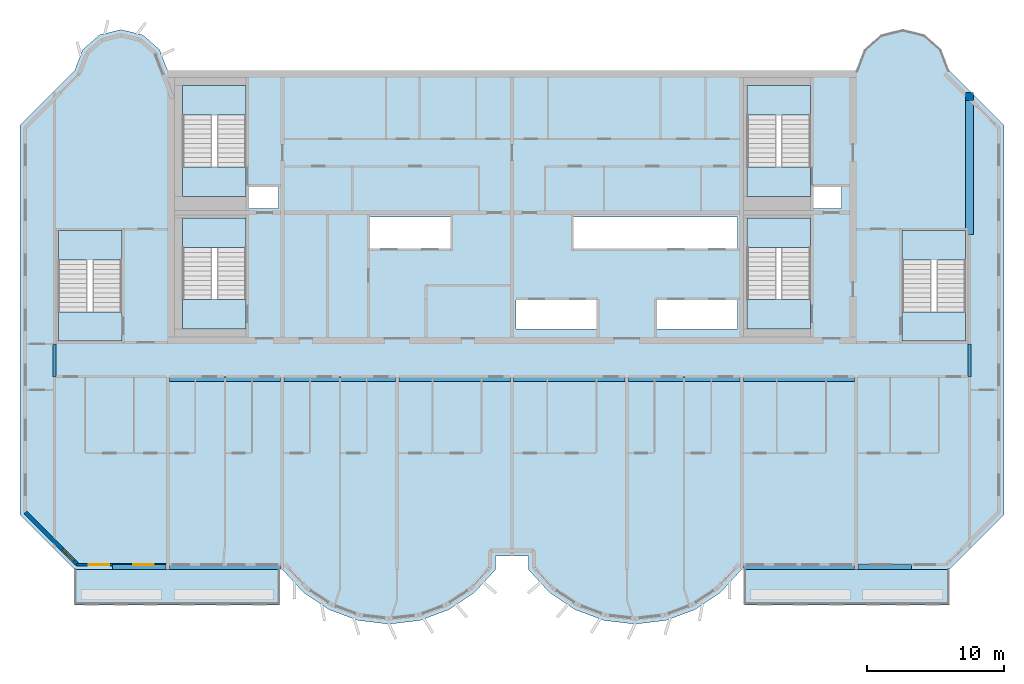
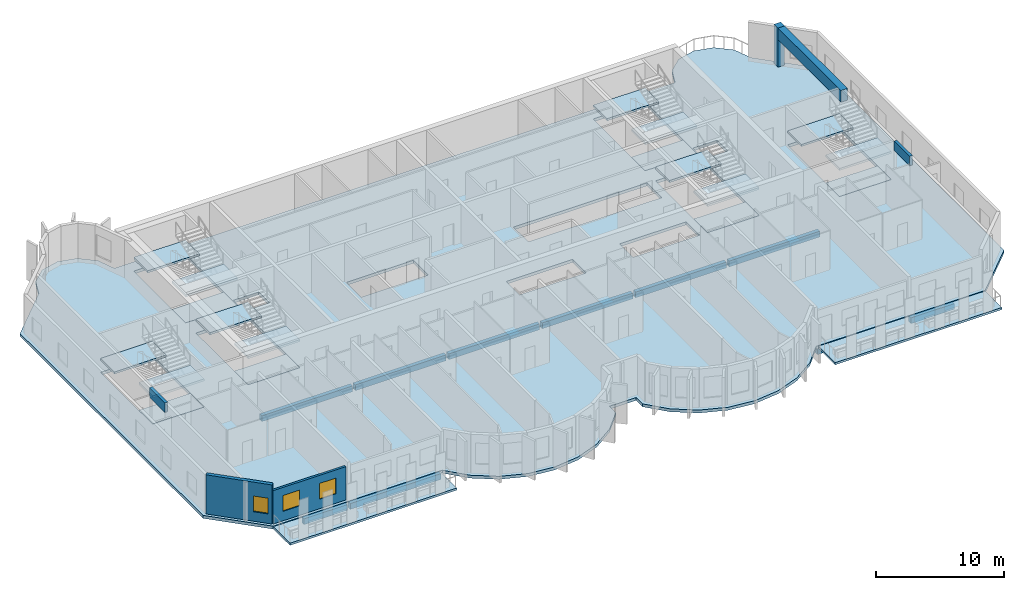
# One storey, part 1 of 12: 21 slabs, 13 beams, 3 windows, 2 walls, 1 column, 3 openings, 6 elements without a shape of their own.
"""IFC4 building model written with IfcOpenShell, lengths in metres."""

import ifcopenshell
import ifcopenshell.guid

model = None  # the IFC model being written
_history = None  # IfcOwnerHistory: only IFC2X3 demands one
_inside = {}  # id of a spatial element -> (the spatial element, [elements in it])
_under = {}  # id of a project, library or spatial element -> (it, [spatial elements below it])
_declared = {}  # id of a project -> (the project, [libraries it declares])
_typed = {}  # id of a type object -> (the type object, [elements of that type])
_made_of = {}  # id of a material, layer set ... -> (it, [elements and type objects made of it])


def new_model(schema):
    """Start an empty IFC model of exactly this schema.

    Asked for "IFC4X3", IfcOpenShell would pick the latest addendum, in which some entities
    have other attributes; the version numbers below select the first issue.
    IFC2X3 requires an IfcOwnerHistory on every rooted entity: one is made here for all.
    """
    global model, _history
    if schema == "IFC4X3":
        model = ifcopenshell.file(schema_version=(4, 3, 0, 0))
    else:
        model = ifcopenshell.file(schema=schema)
    _inside.clear()
    _under.clear()
    _declared.clear()
    _typed.clear()
    _made_of.clear()
    _history = None
    if model.schema == "IFC2X3":
        org = make("IfcOrganization", Name="unknown")
        user = make(
            "IfcPersonAndOrganization",
            ThePerson=make("IfcPerson", FamilyName="unknown"),
            TheOrganization=org,
        )
        app = make(
            "IfcApplication",
            ApplicationDeveloper=org,
            Version="unknown",
            ApplicationFullName="unknown",
            ApplicationIdentifier="unknown",
        )
        _history = make(
            "IfcOwnerHistory",
            OwningUser=user,
            OwningApplication=app,
            ChangeAction="ADDED",
            CreationDate=0,
        )
    return model


def make(cls, **values):
    """One entity of the class cls with the attributes given. An attribute that is None is left unset."""
    return model.create_entity(
        cls, **{name: value for name, value in values.items() if value is not None}
    )


def rooted(cls, **values):
    """An entity with a GlobalId (a new one), such as an element, a storey or a relation."""
    return make(cls, GlobalId=ifcopenshell.guid.new(), OwnerHistory=_history, **values)


def si_unit(unit_type, name, prefix=None):
    """IfcSIUnit, for example si_unit("LENGTHUNIT", "METRE", prefix="MILLI")."""
    return make("IfcSIUnit", UnitType=unit_type, Prefix=prefix, Name=name)


def assignment(units):
    """IfcUnitAssignment: the units of a project."""
    return None if units is None else make("IfcUnitAssignment", Units=units)


def point(xyz):
    """IfcCartesianPoint."""
    return None if xyz is None else make("IfcCartesianPoint", Coordinates=xyz)


def direction(xyz):
    """IfcDirection."""
    return None if xyz is None else make("IfcDirection", DirectionRatios=xyz)


def frame(location, z_axis=None, x_axis=None):
    """IfcAxis2Placement3D, a coordinate frame: its origin and axes. An axis left out is left unset."""
    return make(
        "IfcAxis2Placement3D",
        Location=point(location),
        Axis=direction(z_axis),
        RefDirection=direction(x_axis),
    )


def frame_2d(location, x_axis=None):
    """IfcAxis2Placement2D, a coordinate frame in the plane: its origin and x axis."""
    return make(
        "IfcAxis2Placement2D", Location=point(location), RefDirection=direction(x_axis)
    )


def origin():
    """The frame at (0, 0, 0) with its axes left unset."""
    return frame((0.0, 0.0, 0.0))


def origin_2d():
    """The frame at (0, 0) in the plane with its x axis left unset."""
    return frame_2d((0.0, 0.0))


def place(relative_to, where):
    """IfcLocalPlacement: puts the frame where relative to a parent placement (None: the world)."""
    return make(
        "IfcLocalPlacement", PlacementRelTo=relative_to, RelativePlacement=where
    )


def context(
    kind, dimensions, precision=None, world=None, true_north=None, identifier=None
):
    """IfcGeometricRepresentationContext, for example the 3D "Model" context."""
    return make(
        "IfcGeometricRepresentationContext",
        ContextIdentifier=identifier,
        ContextType=kind,
        CoordinateSpaceDimension=dimensions,
        Precision=precision,
        WorldCoordinateSystem=world,
        TrueNorth=true_north,
    )


def subcontext(parent, identifier, kind, view, scale=None):
    """IfcGeometricRepresentationSubContext, for example "Body" below "Model"."""
    return make(
        "IfcGeometricRepresentationSubContext",
        ContextIdentifier=identifier,
        ContextType=kind,
        ParentContext=parent,
        TargetScale=scale,
        TargetView=view,
    )


def project(units=None, contexts=None):
    """IfcProject with its units and contexts."""
    return rooted(
        "IfcProject",
        Name="project",
        RepresentationContexts=contexts,
        UnitsInContext=assignment(units),
    )


def spatial(cls, under=None, at=None, **own):
    """A site, building, storey or space (cls), placed at a placement, below another one or the project."""
    s = rooted(cls, ObjectPlacement=at, **own)
    if under is not None:
        _under.setdefault(under.id(), (under, []))[1].append(s)
    return s


def polyline(points):
    """IfcPolyline through the points."""
    return make("IfcPolyline", Points=[point(p) for p in points])


def profile(cls, at=None, kind="AREA", **sizes):
    """A parametric profile (cls). Its sizes go by their IFC names, for example OverallWidth=200.0."""
    return make(cls, ProfileType=kind, Position=at, **sizes)


def rectangle(**sizes):
    """IfcRectangleProfileDef."""
    return profile("IfcRectangleProfileDef", **sizes)


def outline(outer, holes=None, kind="AREA"):
    """IfcArbitraryClosedProfileDef: a profile drawn as a closed curve; with holes, ...WithVoids."""
    if holes is None:
        return make("IfcArbitraryClosedProfileDef", ProfileType=kind, OuterCurve=outer)
    return make(
        "IfcArbitraryProfileDefWithVoids",
        ProfileType=kind,
        OuterCurve=outer,
        InnerCurves=holes,
    )


def extrude(swept, where, along, depth):
    """IfcExtrudedAreaSolid: the profile swept, set in the frame where, extruded along a direction by depth."""
    return make(
        "IfcExtrudedAreaSolid",
        SweptArea=swept,
        Position=where,
        ExtrudedDirection=direction(along),
        Depth=depth,
    )


def shape(context_of_items, identifier, shape_type, items):
    """IfcShapeRepresentation: the items that make up one representation, for example the "Body"."""
    return make(
        "IfcShapeRepresentation",
        ContextOfItems=context_of_items,
        RepresentationIdentifier=identifier,
        RepresentationType=shape_type,
        Items=items,
    )


def source(mapping_origin, context_of_items, identifier, shape_type, items):
    """IfcRepresentationMap: a shape defined once, which mapped items show again and again."""
    return make(
        "IfcRepresentationMap",
        MappingOrigin=mapping_origin,
        MappedRepresentation=shape(context_of_items, identifier, shape_type, items),
    )


def transform(
    local_origin,
    x_axis=None,
    y_axis=None,
    z_axis=None,
    scale=None,
    scale2=None,
    scale3=None,
    uniform=True,
):
    """IfcCartesianTransformationOperator3D, or its non-uniform kind. x_axis, y_axis, z_axis: its Axis1, 2, 3."""
    if uniform:
        return make(
            "IfcCartesianTransformationOperator3D",
            Axis1=direction(x_axis),
            Axis2=direction(y_axis),
            LocalOrigin=point(local_origin),
            Scale=scale,
            Axis3=direction(z_axis),
        )
    return make(
        "IfcCartesianTransformationOperator3DnonUniform",
        Axis1=direction(x_axis),
        Axis2=direction(y_axis),
        LocalOrigin=point(local_origin),
        Scale=scale,
        Axis3=direction(z_axis),
        Scale2=scale2,
        Scale3=scale3,
    )


def mapped(mapping_source, mapping_target):
    """IfcMappedItem: shows the shape of a source again, moved by a transform."""
    return make(
        "IfcMappedItem", MappingSource=mapping_source, MappingTarget=mapping_target
    )


def material(Name=None, Category=None):
    """IfcMaterial."""
    return make("IfcMaterial", Name=Name, Category=Category)


def layer(
    of_material, thickness, ventilated=None, Name=None, Category=None, Priority=None
):
    """IfcMaterialLayer: one layer of a wall or slab, of a material (None: an air gap)."""
    return make(
        "IfcMaterialLayer",
        Material=of_material,
        LayerThickness=thickness,
        IsVentilated=ventilated,
        Name=Name,
        Category=Category,
        Priority=Priority,
    )


def layer_set(layers, Name=None):
    """IfcMaterialLayerSet."""
    return make("IfcMaterialLayerSet", MaterialLayers=layers, LayerSetName=Name)


def material_profile(
    of_material, cross_section, Name=None, Category=None, Priority=None
):
    """IfcMaterialProfile: a cross section and its material."""
    return make(
        "IfcMaterialProfile",
        Name=Name,
        Material=of_material,
        Profile=cross_section,
        Priority=Priority,
        Category=Category,
    )


def profile_set(profiles, Name=None, composite=None):
    """IfcMaterialProfileSet."""
    return make(
        "IfcMaterialProfileSet",
        Name=Name,
        MaterialProfiles=profiles,
        CompositeProfile=composite,
    )


def made_of(thing, what):
    """Note that an element or type object is made of a material, layer set ...; save() writes the relation."""
    if what is not None:
        _made_of.setdefault(what.id(), (what, []))[1].append(thing)
    return thing


def type_object(cls, material=None, **own):
    """A type object (cls), such as IfcWallType, which elements share."""
    return made_of(rooted(cls, **own), material)


def element(
    cls,
    number,
    at=None,
    inside=None,
    cuts=None,
    type_object=None,
    material=None,
    context=None,
    identifier="Body",
    shape_type=None,
    held_by="IfcProductDefinitionShape",
    body=None,
    shapes=None,
    **own,
):
    """One element of the class cls, such as IfcWall. Its Tag is "e" and its number.

    at: its placement. inside: the storey or other place that contains it. cuts: it is an
    opening in that element (IfcRelVoidsElement). A single representation is given by context,
    identifier, shape_type and body (its items); several are given by shapes. held_by: the class
    of the entity that holds the representations. save() writes the other relations.
    """
    e = rooted(cls, Tag="e%d" % number, ObjectPlacement=at, **own)
    if body is not None:
        shapes = [shape(context, identifier, shape_type, body)]
    if shapes is not None:
        e.Representation = make(held_by, Representations=shapes)
    if inside is not None:
        _inside.setdefault(inside.id(), (inside, []))[1].append(e)
    if cuts is not None:
        rooted(
            "IfcRelVoidsElement", RelatingBuildingElement=cuts, RelatedOpeningElement=e
        )
    if type_object is not None:
        _typed.setdefault(type_object.id(), (type_object, []))[1].append(e)
    return made_of(e, material)


def fill(opening, filler):
    """IfcRelFillsElement: the door or window that sits in an opening."""
    return rooted(
        "IfcRelFillsElement",
        RelatingOpeningElement=opening,
        RelatedBuildingElement=filler,
    )


def aggregate(whole, parts):
    """IfcRelAggregates: a whole, such as a stair, and the parts it consists of."""
    return rooted("IfcRelAggregates", RelatingObject=whole, RelatedObjects=parts)


def save(model, path):
    """Write the relations noted so far, then the file.

    IfcRelAggregates (storeys below a building ...), IfcRelContainedInSpatialStructure (elements
    in a storey), IfcRelDefinesByType, IfcRelAssociatesMaterial and IfcRelDeclares: one each for
    every whole, place, type object, material and project.
    """
    for whole, parts in _under.values():
        aggregate(whole, parts)
    for where, things in _inside.values():
        rooted(
            "IfcRelContainedInSpatialStructure",
            RelatedElements=things,
            RelatingStructure=where,
        )
    for kind, things in _typed.values():
        rooted("IfcRelDefinesByType", RelatedObjects=things, RelatingType=kind)
    for what, things in _made_of.values():
        rooted("IfcRelAssociatesMaterial", RelatedObjects=things, RelatingMaterial=what)
    for by, libraries in _declared.values():
        rooted("IfcRelDeclares", RelatingContext=by, RelatedDefinitions=libraries)
    model.write(path)


model = new_model("IFC4")

# Units and contexts
model_context = context("Model", 3, precision=1e-05, world=origin(), true_north=direction((0.0, 1.0)))
body_context = subcontext(model_context, "Body", "Model", "MODEL_VIEW")
ifc_project = project(units=[si_unit("LENGTHUNIT", "METRE"), si_unit("AREAUNIT", "SQUARE_METRE"), si_unit("VOLUMEUNIT", "CUBIC_METRE"), si_unit("PLANEANGLEUNIT", "RADIAN"), si_unit("MASSUNIT", "GRAM", prefix="KILO")], contexts=[model_context])

# Site, building, storey
site_placement = place(None, origin())
site = spatial("IfcSite", under=ifc_project, at=site_placement, CompositionType="ELEMENT")
building_placement = place(site_placement, origin())
building = spatial("IfcBuilding", under=site, at=building_placement, Name="Vanashikhar Sky Hotel", CompositionType="ELEMENT")
storey_placement = place(building_placement, frame((0.0, 0.0, 289.699951171875)))
storey = spatial("IfcBuildingStorey", under=building, at=storey_placement, Name="L69", CompositionType="ELEMENT", Elevation=289.699951171875)

# Column
ifc_material_1 = material(Name="Concrete M50", Category="concrete")
ifc_material_profile_1 = material_profile(ifc_material_1, rectangle(XDim=0.60009765625, YDim=0.60009765625, at=origin_2d()))
ifc_profile_set_1 = profile_set([ifc_material_profile_1], Name="RC 600x600 column Concrete M50")
column_type = type_object("IfcColumnType", Name="RC 600x600 column Concrete M50", PredefinedType="COLUMN", material=ifc_profile_set_1)
shared_shape_1 = source(origin(), body_context, "Body", "SweptSolid", [
    extrude(rectangle(XDim=0.60009765625, YDim=0.60009765625, at=origin_2d()), origin(), (0.0, 0.0, 1.0), 3.719970703125),
])
column_placement = place(storey_placement, frame((83.875, 40.10009765625, 0.0), z_axis=(0.0, 0.0, 1.0), x_axis=(1.0, 0.0, 0.0)))
element("IfcColumn", 1, at=column_placement, inside=storey, type_object=column_type, Name="CL-L69-CRF", PredefinedType="COLUMN", context=body_context, shape_type="MappedRepresentation", body=[
    mapped(shared_shape_1, transform((0.0, 0.0, 0.0), scale=1.0)),
])

# Beams
ifc_material_profile_2 = material_profile(ifc_material_1, rectangle(XDim=0.60009765625, YDim=1.10009765625, at=origin_2d()))
ifc_profile_set_2 = profile_set([ifc_material_profile_2], Name="RC 600x1100 beam Concrete M50")
beam_type_1 = type_object("IfcBeamType", Name="RC 600x1100 beam Concrete M50", PredefinedType="BEAM", material=ifc_profile_set_2)
shared_shape_2 = source(origin(), body_context, "Body", "SweptSolid", [
    extrude(rectangle(XDim=0.60009765625, YDim=1.10009765625, at=origin_2d()), origin(), (0.0, 0.0, 1.0), 9.800048828125),
])
beam_placement = place(storey_placement, frame((83.875, 30.0, 3.170166015625), z_axis=(0.0, 1.0, 0.0), x_axis=(-1.0, 0.0, 0.0)))
element("IfcBeam", 2, at=beam_placement, inside=storey, type_object=beam_type_1, Name="LB-L69-XW11-O1", PredefinedType="BEAM", context=body_context, shape_type="MappedRepresentation", body=[
    mapped(shared_shape_2, transform((0.0, 0.0, 0.0), scale=1.0)),
])
ifc_material_profile_3 = material_profile(ifc_material_1, rectangle(XDim=0.25, YDim=0.89990234375, at=origin_2d()))
ifc_profile_set_3 = profile_set([ifc_material_profile_3], Name="RC 250x900 beam Concrete M50")
beam_type_2 = type_object("IfcBeamType", Name="RC 250x900 beam Concrete M50", PredefinedType="LINTEL", material=ifc_profile_set_3)
shared_shape_3 = source(origin(), body_context, "Body", "SweptSolid", [
    extrude(rectangle(XDim=0.25, YDim=0.89990234375, at=origin_2d()), origin(), (0.0, 0.0, 1.0), 2.39990234375),
])
for number, where, z_axis, x_axis, name in (
    (3, (16.925048828125, 19.60009765625, 3.27001953125), (0.0, 1.0, 0.0), (-1.0, 0.0, 0.0), "LB-L69-XW03"),
    (4, (83.875, 19.60009765625, 3.27001953125), (0.0, 1.0, 0.0), (-1.0, 0.0, 0.0), "LB-L69-XW11"),
):
    element("IfcBeam", number, at=place(storey_placement, frame(where, z_axis=z_axis, x_axis=x_axis)), inside=storey, type_object=beam_type_2, Name=name, PredefinedType="LINTEL", context=body_context, shape_type="MappedRepresentation", body=[
        mapped(shared_shape_3, transform((0.0, 0.0, 0.0), scale=1.0)),
    ])
ifc_material_profile_4 = material_profile(ifc_material_1, rectangle(XDim=0.35009765625, YDim=0.550048828125, at=origin_2d()))
ifc_profile_set_4 = profile_set([ifc_material_profile_4], Name="RC 350x550 beam Concrete M50")
beam_type_3 = type_object("IfcBeamType", Name="RC 350x550 beam Concrete M50", PredefinedType="SPANDREL", material=ifc_profile_set_4)
shared_shape_4 = source(origin(), body_context, "Body", "SweptSolid", [
    extrude(rectangle(XDim=0.35009765625, YDim=0.550048828125, at=origin_2d()), origin(), (0.0, 0.0, 1.0), 8.150146484375),
])
for number, where, z_axis, x_axis, name in (
    (5, (25.324951171875, 5.675048828125, -0.554931640625), (1.0, 0.0, 0.0), (0.0, 1.0, 0.0), "EB-L69-F01"),
    (6, (67.324951171875, 5.675048828125, -0.554931640625), (1.0, 0.0, 0.0), (0.0, 1.0, 0.0), "EB-L69-F03"),
    (7, (25.324951171875, 19.425048828125, -0.554931640625), (1.0, 0.0, 0.0), (0.0, 1.0, 0.0), "CB-L69-01"),
    (8, (50.52490234375, 19.425048828125, -0.554931640625), (1.0, 0.0, 0.0), (0.0, 1.0, 0.0), "CB-L69-04"),
    (9, (67.324951171875, 19.425048828125, -0.554931640625), (1.0, 0.0, 0.0), (0.0, 1.0, 0.0), "CB-L69-06"),
):
    element("IfcBeam", number, at=place(storey_placement, frame(where, z_axis=z_axis, x_axis=x_axis)), inside=storey, type_object=beam_type_3, Name=name, PredefinedType="SPANDREL", context=body_context, shape_type="MappedRepresentation", body=[
        mapped(shared_shape_4, transform((0.0, 0.0, 0.0), scale=1.0)),
    ])
ifc_material_profile_5 = material_profile(ifc_material_1, rectangle(XDim=0.35009765625, YDim=0.550048828125, at=origin_2d()))
ifc_profile_set_5 = profile_set([ifc_material_profile_5], Name="RC 350x550 cantilever beam Concrete M50")
beam_type_4 = type_object("IfcBeamType", Name="RC 350x550 cantilever beam Concrete M50", PredefinedType="SPANDREL", material=ifc_profile_set_5)
shared_shape_5 = source(origin(), body_context, "Body", "SweptSolid", [
    extrude(rectangle(XDim=0.35009765625, YDim=0.550048828125, at=origin_2d()), origin(), (0.0, 0.0, 1.0), 3.89990234375),
])
for number, where, z_axis, x_axis, name in (
    (10, (21.175048828125, 5.675048828125, -0.554931640625), (1.0, 0.0, 0.0), (0.0, 1.0, 0.0), "EB-L69-F02"),
    (11, (75.72509765625, 5.675048828125, -0.554931640625), (1.0, 0.0, 0.0), (0.0, 1.0, 0.0), "EB-L69-F04"),
):
    element("IfcBeam", number, at=place(storey_placement, frame(where, z_axis=z_axis, x_axis=x_axis)), inside=storey, type_object=beam_type_4, Name=name, PredefinedType="SPANDREL", context=body_context, shape_type="MappedRepresentation", body=[
        mapped(shared_shape_5, transform((0.0, 0.0, 0.0), scale=1.0)),
    ])
shared_shape_6 = source(origin(), body_context, "Body", "SweptSolid", [
    extrude(rectangle(XDim=0.35009765625, YDim=0.550048828125, at=origin_2d()), origin(), (0.0, 0.0, 1.0), 8.14990234375),
])
for number, where, z_axis, x_axis, name in (
    (12, (33.72509765625, 19.425048828125, -0.554931640625), (1.0, 0.0, 0.0), (0.0, 1.0, 0.0), "CB-L69-02"),
    (13, (42.125, 19.425048828125, -0.554931640625), (1.0, 0.0, 0.0), (0.0, 1.0, 0.0), "CB-L69-03"),
    (14, (58.925048828125, 19.425048828125, -0.554931640625), (1.0, 0.0, 0.0), (0.0, 1.0, 0.0), "CB-L69-05"),
):
    element("IfcBeam", number, at=place(storey_placement, frame(where, z_axis=z_axis, x_axis=x_axis)), inside=storey, type_object=beam_type_3, Name=name, PredefinedType="SPANDREL", context=body_context, shape_type="MappedRepresentation", body=[
        mapped(shared_shape_6, transform((0.0, 0.0, 0.0), scale=1.0)),
    ])

# Slabs
ifc_material_2 = material(Name="Concrete M40", Category="concrete")
ifc_layer_1 = layer(ifc_material_2, 0.280029296875)
ifc_layer_set_1 = layer_set([ifc_layer_1], Name="Floor slab 280 mm")
slab_type_1 = type_object("IfcSlabType", Name="Floor slab 280 mm", PredefinedType="FLOOR", material=ifc_layer_set_1)
shared_shape_7 = source(origin(), body_context, "Body", "SweptSolid", [
    extrude(outline(polyline([(49.199951171875, 5.5), (49.199951171875, 6.5), (51.60009765625, 6.5), (51.60009765625, 5.5), (53.133056640625, 3.825927734375), (55.01708984375, 2.55810546875), (57.14599609375, 1.76806640625), (59.39990234375, 1.5), (61.654052734375, 1.76806640625), (63.782958984375, 2.55810546875), (65.6669921875, 3.825927734375), (67.199951171875, 5.5), (82.39990234375, 5.5), (86.39990234375, 9.5), (86.39990234375, 38.0), (82.39990234375, 42.0), (81.81494140625, 43.527099609375), (80.587890625, 44.610107421875), (79.0, 45.0), (77.412109375, 44.610107421875), (76.18505859375, 43.527099609375), (75.60009765625, 42.0), (25.199951171875, 42.0), (24.614990234375, 43.527099609375), (23.387939453125, 44.610107421875), (21.800048828125, 45.0), (20.2119140625, 44.610107421875), (18.985107421875, 43.527099609375), (18.39990234375, 42.0), (14.39990234375, 38.0), (14.39990234375, 9.5), (18.39990234375, 5.5), (33.60009765625, 5.5), (35.133056640625, 3.825927734375), (37.01708984375, 2.55810546875), (39.14599609375, 1.76806640625), (41.39990234375, 1.5), (43.654052734375, 1.76806640625), (45.782958984375, 2.55810546875), (47.6669921875, 3.825927734375), (49.199951171875, 5.5)]), holes=[polyline([(33.300048828125, 33.60009765625), (31.050048828125, 33.60009765625), (31.050048828125, 31.89990234375), (33.300048828125, 31.89990234375), (33.300048828125, 33.60009765625)]), polyline([(39.89990234375, 31.300048828125), (39.89990234375, 29.0), (45.89990234375, 29.0), (45.89990234375, 31.300048828125), (39.89990234375, 31.300048828125)]), polyline([(50.699951171875, 25.199951171875), (50.699951171875, 23.10009765625), (56.699951171875, 23.10009765625), (56.699951171875, 25.199951171875), (50.699951171875, 25.199951171875)]), polyline([(66.89990234375, 29.0), (66.89990234375, 31.300048828125), (54.89990234375, 31.300048828125), (54.89990234375, 29.0), (66.89990234375, 29.0)]), polyline([(60.89990234375, 25.199951171875), (60.89990234375, 23.10009765625), (66.89990234375, 23.10009765625), (66.89990234375, 25.199951171875), (60.89990234375, 25.199951171875)]), polyline([(74.5, 33.60009765625), (72.35009765625, 33.60009765625), (72.35009765625, 31.89990234375), (74.5, 31.89990234375), (74.5, 33.60009765625)]), polyline([(30.949951171875, 23.10009765625), (30.949951171875, 31.199951171875), (26.300048828125, 31.199951171875), (26.300048828125, 23.10009765625), (30.949951171875, 23.10009765625)]), polyline([(72.25, 23.10009765625), (72.25, 31.199951171875), (67.60009765625, 31.199951171875), (67.60009765625, 23.10009765625), (72.25, 23.10009765625)]), polyline([(30.949951171875, 32.800048828125), (30.949951171875, 40.89990234375), (26.300048828125, 40.89990234375), (26.300048828125, 32.800048828125), (30.949951171875, 32.800048828125)]), polyline([(72.25, 32.800048828125), (72.25, 40.89990234375), (67.60009765625, 40.89990234375), (67.60009765625, 32.800048828125), (72.25, 32.800048828125)]), polyline([(83.60009765625, 22.199951171875), (83.60009765625, 30.300048828125), (78.949951171875, 30.300048828125), (78.949951171875, 22.199951171875), (83.60009765625, 22.199951171875)]), polyline([(21.85009765625, 22.199951171875), (21.85009765625, 30.300048828125), (17.199951171875, 30.300048828125), (17.199951171875, 22.199951171875), (21.85009765625, 22.199951171875)])]), origin(), (0.0, 0.0, 1.0), 0.280029296875),
])
slab_1_placement = place(storey_placement, frame((0.0, 0.0, -0.280029296875)))
element("IfcSlab", 15, at=slab_1_placement, inside=storey, type_object=slab_type_1, Name="Floor slab L69", PredefinedType="FLOOR", context=body_context, shape_type="MappedRepresentation", body=[
    mapped(shared_shape_7, transform((0.0, 0.0, 0.0), scale=1.0)),
])
ifc_layer_2 = layer(ifc_material_2, 0.199951171875)
ifc_layer_set_2 = layer_set([ifc_layer_2], Name="Balcony slab 200 mm")
slab_type_2 = type_object("IfcSlabType", Name="Balcony slab 200 mm", PredefinedType="USERDEFINED", material=ifc_layer_set_2)
shared_shape_8 = source(origin(), body_context, "Body", "SweptSolid", [
    extrude(outline(polyline([(18.39990234375, 2.89990234375), (33.39990234375, 2.89990234375), (33.39990234375, 5.5), (18.39990234375, 5.5), (18.39990234375, 2.89990234375)])), origin(), (0.0, 0.0, 1.0), 0.199951171875),
])
slab_2_placement = place(storey_placement, frame((0.0, 0.0, -0.25)))
element("IfcSlab", 16, at=slab_2_placement, inside=storey, type_object=slab_type_2, Name="Balcony slab L69 1", ObjectType="BALCONY", PredefinedType="USERDEFINED", context=body_context, shape_type="MappedRepresentation", body=[
    mapped(shared_shape_8, transform((0.0, 0.0, 0.0), scale=1.0)),
])
shared_shape_9 = source(origin(), body_context, "Body", "SweptSolid", [
    extrude(outline(polyline([(67.39990234375, 2.89990234375), (82.39990234375, 2.89990234375), (82.39990234375, 5.5), (67.39990234375, 5.5), (67.39990234375, 2.89990234375)])), origin(), (0.0, 0.0, 1.0), 0.199951171875),
])
slab_3_placement = place(storey_placement, frame((0.0, 0.0, -0.25)))
element("IfcSlab", 17, at=slab_3_placement, inside=storey, type_object=slab_type_2, Name="Balcony slab L69 2", ObjectType="BALCONY", PredefinedType="USERDEFINED", context=body_context, shape_type="MappedRepresentation", body=[
    mapped(shared_shape_9, transform((0.0, 0.0, 0.0), scale=1.0)),
])

# Stair, slabs
stair_type = type_object("IfcStairType", Name="Exit stair 2150", PredefinedType="DOUBLE_RETURN_STAIR", material=ifc_material_2)
stair_1_placement = place(storey_placement, origin())
stair_1 = element("IfcStair", 18, at=stair_1_placement, inside=storey, type_object=stair_type, Name="L69 Exit stair 1", PredefinedType="DOUBLE_RETURN_STAIR")
ifc_layer_3 = layer(ifc_material_2, 0.199951171875)
ifc_layer_set_3 = layer_set([ifc_layer_3], Name="Stair landing 200")
slab_type_3 = type_object("IfcSlabType", Name="Stair landing 200", PredefinedType="LANDING", material=ifc_layer_set_3)
shared_shape_10 = source(origin(), body_context, "Body", "SweptSolid", [
    extrude(outline(polyline([(30.949951171875, 23.10009765625), (30.949951171875, 25.25), (26.300048828125, 25.25), (26.300048828125, 23.10009765625), (30.949951171875, 23.10009765625)])), origin(), (0.0, 0.0, 1.0), 0.199951171875),
])
slab_4_placement = place(storey_placement, frame((0.0, 0.0, 2.466796875)))
slab_4 = element("IfcSlab", 19, at=slab_4_placement, type_object=slab_type_3, Name="ST-C1 landing 2", PredefinedType="LANDING", context=body_context, shape_type="MappedRepresentation", body=[
    mapped(shared_shape_10, transform((0.0, 0.0, 0.0), scale=1.0)),
])
shared_shape_11 = source(origin(), body_context, "Body", "SweptSolid", [
    extrude(outline(polyline([(30.949951171875, 29.050048828125), (30.949951171875, 31.199951171875), (26.300048828125, 31.199951171875), (26.300048828125, 29.050048828125), (30.949951171875, 29.050048828125)])), origin(), (0.0, 0.0, 1.0), 0.2001953125),
])
slab_5_placement = place(storey_placement, frame((0.0, 0.0, 1.13330078125)))
slab_5 = element("IfcSlab", 20, at=slab_5_placement, type_object=slab_type_3, Name="ST-C1 landing 1", PredefinedType="LANDING", context=body_context, shape_type="MappedRepresentation", body=[
    mapped(shared_shape_11, transform((0.0, 0.0, 0.0), scale=1.0)),
])
aggregate(stair_1, [slab_5, slab_4])

# Slab
ifc_layer_4 = layer(ifc_material_2, 0.280029296875)
ifc_layer_set_4 = layer_set([ifc_layer_4], Name="Stair floor landing 280")
slab_type_4 = type_object("IfcSlabType", Name="Stair floor landing 280", PredefinedType="LANDING", material=ifc_layer_set_4)
shared_shape_12 = source(origin(), body_context, "Body", "SweptSolid", [
    extrude(outline(polyline([(30.949951171875, 23.10009765625), (30.949951171875, 25.25), (26.300048828125, 25.25), (26.300048828125, 23.10009765625), (30.949951171875, 23.10009765625)])), origin(), (0.0, 0.0, 1.0), 0.280029296875),
])
slab_6_placement = place(storey_placement, frame((0.0, 0.0, -0.280029296875)))
element("IfcSlab", 21, at=slab_6_placement, inside=storey, type_object=slab_type_4, Name="Exit stair 1 floor landing", PredefinedType="LANDING", context=body_context, shape_type="MappedRepresentation", body=[
    mapped(shared_shape_12, transform((0.0, 0.0, 0.0), scale=1.0)),
])

# Stair, slabs
stair_2_placement = place(storey_placement, origin())
stair_2 = element("IfcStair", 22, at=stair_2_placement, inside=storey, type_object=stair_type, Name="L69 Exit stair 2", PredefinedType="DOUBLE_RETURN_STAIR")
shared_shape_13 = source(origin(), body_context, "Body", "SweptSolid", [
    extrude(outline(polyline([(72.25, 23.10009765625), (72.25, 25.25), (67.60009765625, 25.25), (67.60009765625, 23.10009765625), (72.25, 23.10009765625)])), origin(), (0.0, 0.0, 1.0), 0.199951171875),
])
slab_7_placement = place(storey_placement, frame((0.0, 0.0, 2.466796875)))
slab_7 = element("IfcSlab", 23, at=slab_7_placement, type_object=slab_type_3, Name="ST-C2 landing 2", PredefinedType="LANDING", context=body_context, shape_type="MappedRepresentation", body=[
    mapped(shared_shape_13, transform((0.0, 0.0, 0.0), scale=1.0)),
])
shared_shape_14 = source(origin(), body_context, "Body", "SweptSolid", [
    extrude(outline(polyline([(72.25, 29.050048828125), (72.25, 31.199951171875), (67.60009765625, 31.199951171875), (67.60009765625, 29.050048828125), (72.25, 29.050048828125)])), origin(), (0.0, 0.0, 1.0), 0.2001953125),
])
slab_8_placement = place(storey_placement, frame((0.0, 0.0, 1.13330078125)))
slab_8 = element("IfcSlab", 24, at=slab_8_placement, type_object=slab_type_3, Name="ST-C2 landing 1", PredefinedType="LANDING", context=body_context, shape_type="MappedRepresentation", body=[
    mapped(shared_shape_14, transform((0.0, 0.0, 0.0), scale=1.0)),
])
aggregate(stair_2, [slab_8, slab_7])

# Slab
shared_shape_15 = source(origin(), body_context, "Body", "SweptSolid", [
    extrude(outline(polyline([(72.25, 23.10009765625), (72.25, 25.25), (67.60009765625, 25.25), (67.60009765625, 23.10009765625), (72.25, 23.10009765625)])), origin(), (0.0, 0.0, 1.0), 0.280029296875),
])
slab_9_placement = place(storey_placement, frame((0.0, 0.0, -0.280029296875)))
element("IfcSlab", 25, at=slab_9_placement, inside=storey, type_object=slab_type_4, Name="Exit stair 2 floor landing", PredefinedType="LANDING", context=body_context, shape_type="MappedRepresentation", body=[
    mapped(shared_shape_15, transform((0.0, 0.0, 0.0), scale=1.0)),
])

# Stair, slabs
stair_3_placement = place(storey_placement, origin())
stair_3 = element("IfcStair", 26, at=stair_3_placement, inside=storey, type_object=stair_type, Name="L69 Exit stair 3", PredefinedType="DOUBLE_RETURN_STAIR")
shared_shape_16 = source(origin(), body_context, "Body", "SweptSolid", [
    extrude(outline(polyline([(21.85009765625, 22.199951171875), (21.85009765625, 24.35009765625), (17.199951171875, 24.35009765625), (17.199951171875, 22.199951171875), (21.85009765625, 22.199951171875)])), origin(), (0.0, 0.0, 1.0), 0.199951171875),
])
slab_10_placement = place(storey_placement, frame((0.0, 0.0, 2.466796875)))
slab_10 = element("IfcSlab", 27, at=slab_10_placement, type_object=slab_type_3, Name="ST-W landing 2", PredefinedType="LANDING", context=body_context, shape_type="MappedRepresentation", body=[
    mapped(shared_shape_16, transform((0.0, 0.0, 0.0), scale=1.0)),
])
shared_shape_17 = source(origin(), body_context, "Body", "SweptSolid", [
    extrude(outline(polyline([(21.85009765625, 28.14990234375), (21.85009765625, 30.300048828125), (17.199951171875, 30.300048828125), (17.199951171875, 28.14990234375), (21.85009765625, 28.14990234375)])), origin(), (0.0, 0.0, 1.0), 0.2001953125),
])
slab_11_placement = place(storey_placement, frame((0.0, 0.0, 1.13330078125)))
slab_11 = element("IfcSlab", 28, at=slab_11_placement, type_object=slab_type_3, Name="ST-W landing 1", PredefinedType="LANDING", context=body_context, shape_type="MappedRepresentation", body=[
    mapped(shared_shape_17, transform((0.0, 0.0, 0.0), scale=1.0)),
])
aggregate(stair_3, [slab_11, slab_10])

# Slab
shared_shape_18 = source(origin(), body_context, "Body", "SweptSolid", [
    extrude(outline(polyline([(21.85009765625, 22.199951171875), (21.85009765625, 24.35009765625), (17.199951171875, 24.35009765625), (17.199951171875, 22.199951171875), (21.85009765625, 22.199951171875)])), origin(), (0.0, 0.0, 1.0), 0.280029296875),
])
slab_12_placement = place(storey_placement, frame((0.0, 0.0, -0.280029296875)))
element("IfcSlab", 29, at=slab_12_placement, inside=storey, type_object=slab_type_4, Name="Exit stair 3 floor landing", PredefinedType="LANDING", context=body_context, shape_type="MappedRepresentation", body=[
    mapped(shared_shape_18, transform((0.0, 0.0, 0.0), scale=1.0)),
])

# Stair, slabs
stair_4_placement = place(storey_placement, origin())
stair_4 = element("IfcStair", 30, at=stair_4_placement, inside=storey, type_object=stair_type, Name="L69 Exit stair 4", PredefinedType="DOUBLE_RETURN_STAIR")
shared_shape_19 = source(origin(), body_context, "Body", "SweptSolid", [
    extrude(outline(polyline([(83.60009765625, 22.199951171875), (83.60009765625, 24.35009765625), (78.949951171875, 24.35009765625), (78.949951171875, 22.199951171875), (83.60009765625, 22.199951171875)])), origin(), (0.0, 0.0, 1.0), 0.199951171875),
])
slab_13_placement = place(storey_placement, frame((0.0, 0.0, 2.466796875)))
slab_13 = element("IfcSlab", 31, at=slab_13_placement, type_object=slab_type_3, Name="ST-E landing 2", PredefinedType="LANDING", context=body_context, shape_type="MappedRepresentation", body=[
    mapped(shared_shape_19, transform((0.0, 0.0, 0.0), scale=1.0)),
])
shared_shape_20 = source(origin(), body_context, "Body", "SweptSolid", [
    extrude(outline(polyline([(83.60009765625, 28.14990234375), (83.60009765625, 30.300048828125), (78.949951171875, 30.300048828125), (78.949951171875, 28.14990234375), (83.60009765625, 28.14990234375)])), origin(), (0.0, 0.0, 1.0), 0.2001953125),
])
slab_14_placement = place(storey_placement, frame((0.0, 0.0, 1.13330078125)))
slab_14 = element("IfcSlab", 32, at=slab_14_placement, type_object=slab_type_3, Name="ST-E landing 1", PredefinedType="LANDING", context=body_context, shape_type="MappedRepresentation", body=[
    mapped(shared_shape_20, transform((0.0, 0.0, 0.0), scale=1.0)),
])
aggregate(stair_4, [slab_14, slab_13])

# Slab
shared_shape_21 = source(origin(), body_context, "Body", "SweptSolid", [
    extrude(outline(polyline([(83.60009765625, 22.199951171875), (83.60009765625, 24.35009765625), (78.949951171875, 24.35009765625), (78.949951171875, 22.199951171875), (83.60009765625, 22.199951171875)])), origin(), (0.0, 0.0, 1.0), 0.280029296875),
])
slab_15_placement = place(storey_placement, frame((0.0, 0.0, -0.280029296875)))
element("IfcSlab", 33, at=slab_15_placement, inside=storey, type_object=slab_type_4, Name="Exit stair 4 floor landing", PredefinedType="LANDING", context=body_context, shape_type="MappedRepresentation", body=[
    mapped(shared_shape_21, transform((0.0, 0.0, 0.0), scale=1.0)),
])

# Stair, slabs
stair_5_placement = place(storey_placement, origin())
stair_5 = element("IfcStair", 34, at=stair_5_placement, inside=storey, type_object=stair_type, Name="L69 Exit stair 5", PredefinedType="DOUBLE_RETURN_STAIR")
shared_shape_22 = source(origin(), body_context, "Body", "SweptSolid", [
    extrude(outline(polyline([(30.949951171875, 32.800048828125), (30.949951171875, 34.949951171875), (26.300048828125, 34.949951171875), (26.300048828125, 32.800048828125), (30.949951171875, 32.800048828125)])), origin(), (0.0, 0.0, 1.0), 0.199951171875),
])
slab_16_placement = place(storey_placement, frame((0.0, 0.0, 2.466796875)))
slab_16 = element("IfcSlab", 35, at=slab_16_placement, type_object=slab_type_3, Name="ST-C3 landing 2", PredefinedType="LANDING", context=body_context, shape_type="MappedRepresentation", body=[
    mapped(shared_shape_22, transform((0.0, 0.0, 0.0), scale=1.0)),
])
shared_shape_23 = source(origin(), body_context, "Body", "SweptSolid", [
    extrude(outline(polyline([(30.949951171875, 38.75), (30.949951171875, 40.89990234375), (26.300048828125, 40.89990234375), (26.300048828125, 38.75), (30.949951171875, 38.75)])), origin(), (0.0, 0.0, 1.0), 0.2001953125),
])
slab_17_placement = place(storey_placement, frame((0.0, 0.0, 1.13330078125)))
slab_17 = element("IfcSlab", 36, at=slab_17_placement, type_object=slab_type_3, Name="ST-C3 landing 1", PredefinedType="LANDING", context=body_context, shape_type="MappedRepresentation", body=[
    mapped(shared_shape_23, transform((0.0, 0.0, 0.0), scale=1.0)),
])
aggregate(stair_5, [slab_17, slab_16])

# Slab
shared_shape_24 = source(origin(), body_context, "Body", "SweptSolid", [
    extrude(outline(polyline([(30.949951171875, 32.800048828125), (30.949951171875, 34.949951171875), (26.300048828125, 34.949951171875), (26.300048828125, 32.800048828125), (30.949951171875, 32.800048828125)])), origin(), (0.0, 0.0, 1.0), 0.280029296875),
])
slab_18_placement = place(storey_placement, frame((0.0, 0.0, -0.280029296875)))
element("IfcSlab", 37, at=slab_18_placement, inside=storey, type_object=slab_type_4, Name="Exit stair 5 floor landing", PredefinedType="LANDING", context=body_context, shape_type="MappedRepresentation", body=[
    mapped(shared_shape_24, transform((0.0, 0.0, 0.0), scale=1.0)),
])

# Stair, slabs
stair_6_placement = place(storey_placement, origin())
stair_6 = element("IfcStair", 38, at=stair_6_placement, inside=storey, type_object=stair_type, Name="L69 Exit stair 6", PredefinedType="DOUBLE_RETURN_STAIR")
shared_shape_25 = source(origin(), body_context, "Body", "SweptSolid", [
    extrude(outline(polyline([(72.25, 32.800048828125), (72.25, 34.949951171875), (67.60009765625, 34.949951171875), (67.60009765625, 32.800048828125), (72.25, 32.800048828125)])), origin(), (0.0, 0.0, 1.0), 0.199951171875),
])
slab_19_placement = place(storey_placement, frame((0.0, 0.0, 2.466796875)))
slab_19 = element("IfcSlab", 39, at=slab_19_placement, type_object=slab_type_3, Name="ST-C4 landing 2", PredefinedType="LANDING", context=body_context, shape_type="MappedRepresentation", body=[
    mapped(shared_shape_25, transform((0.0, 0.0, 0.0), scale=1.0)),
])
shared_shape_26 = source(origin(), body_context, "Body", "SweptSolid", [
    extrude(outline(polyline([(72.25, 38.75), (72.25, 40.89990234375), (67.60009765625, 40.89990234375), (67.60009765625, 38.75), (72.25, 38.75)])), origin(), (0.0, 0.0, 1.0), 0.2001953125),
])
slab_20_placement = place(storey_placement, frame((0.0, 0.0, 1.13330078125)))
slab_20 = element("IfcSlab", 40, at=slab_20_placement, type_object=slab_type_3, Name="ST-C4 landing 1", PredefinedType="LANDING", context=body_context, shape_type="MappedRepresentation", body=[
    mapped(shared_shape_26, transform((0.0, 0.0, 0.0), scale=1.0)),
])
aggregate(stair_6, [slab_20, slab_19])

# Slab
shared_shape_27 = source(origin(), body_context, "Body", "SweptSolid", [
    extrude(outline(polyline([(72.25, 32.800048828125), (72.25, 34.949951171875), (67.60009765625, 34.949951171875), (67.60009765625, 32.800048828125), (72.25, 32.800048828125)])), origin(), (0.0, 0.0, 1.0), 0.280029296875),
])
slab_21_placement = place(storey_placement, frame((0.0, 0.0, -0.280029296875)))
element("IfcSlab", 41, at=slab_21_placement, inside=storey, type_object=slab_type_4, Name="Exit stair 6 floor landing", PredefinedType="LANDING", context=body_context, shape_type="MappedRepresentation", body=[
    mapped(shared_shape_27, transform((0.0, 0.0, 0.0), scale=1.0)),
])

# Wall, openings, windows
ifc_layer_5 = layer(ifc_material_1, 0.199951171875)
ifc_layer_set_5 = layer_set([ifc_layer_5], Name="Front window wall 200")
wall_type_1 = type_object("IfcWallType", Name="Front window wall 200", PredefinedType="SOLIDWALL", material=ifc_layer_set_5)
shared_shape_28 = source(origin(), body_context, "Body", "SweptSolid", [
    extrude(rectangle(XDim=6.530029296875, YDim=0.199951171875, at=frame_2d((3.26513671875, 0.0))), origin(), (0.0, 0.0, 1.0), 3.170166015625),
])
wall_1_placement = place(storey_placement, frame((18.544921875, 5.85009765625, 0.0), z_axis=(0.0, 0.0, 1.0), x_axis=(1.0, 0.0, 0.0)))
wall_1 = element("IfcWall", 42, at=wall_1_placement, inside=storey, type_object=wall_type_1, Name="Front window wall", PredefinedType="SOLIDWALL", context=body_context, shape_type="MappedRepresentation", body=[
    mapped(shared_shape_28, transform((0.0, 0.0, 0.0), scale=1.0)),
])
shared_shape_29 = source(origin(), body_context, "Body", "SweptSolid", [
    extrude(rectangle(XDim=1.5, YDim=1.5, at=frame_2d((0.75, 0.75))), frame((0.0, 0.10986328125, 0.0), z_axis=(0.0, -1.0, 0.0), x_axis=(1.0, 0.0, 0.0)), (0.0, 0.0, 1.0), 0.219970703125),
])
opening_1_placement = place(wall_1_placement, frame((0.882568359375, 0.0, 0.89990234375)))
opening_1 = element("IfcOpeningElement", 43, at=opening_1_placement, cuts=wall_1, Name="Opening WN-1", PredefinedType="OPENING", context=body_context, shape_type="MappedRepresentation", body=[
    mapped(shared_shape_29, transform((0.0, 0.0, 0.0), scale=1.0)),
])
opening_2_placement = place(wall_1_placement, frame((4.1474609375, 0.0, 0.89990234375)))
opening_2 = element("IfcOpeningElement", 44, at=opening_2_placement, cuts=wall_1, Name="Opening WN-1", PredefinedType="OPENING", context=body_context, shape_type="MappedRepresentation", body=[
    mapped(shared_shape_29, transform((0.0, 0.0, 0.0), scale=1.0)),
])
ifc_material_3 = material(Name="Glass", Category="glass")
window_type_1 = type_object("IfcWindowType", Name="Window 1500 x 1500", PartitioningType="SINGLE_PANEL", PredefinedType="WINDOW", material=ifc_material_3)
shared_shape_30 = source(origin(), body_context, "Body", "SweptSolid", [
    extrude(rectangle(XDim=1.5, YDim=1.5, at=frame_2d((0.75, 0.75))), frame((0.0, 0.030029296875, 0.0), z_axis=(0.0, -1.0, 0.0), x_axis=(1.0, 0.0, 0.0)), (0.0, 0.0, 1.0), 0.06005859375),
])
window_1_placement = place(opening_1_placement, origin())
window_1 = element("IfcWindow", 45, at=window_1_placement, inside=storey, type_object=window_type_1, Name="Window WN-1", OverallHeight=1.5, OverallWidth=1.5, PartitioningType="SINGLE_PANEL", PredefinedType="WINDOW", context=body_context, shape_type="MappedRepresentation", body=[
    mapped(shared_shape_30, transform((0.0, 0.0, 0.0), scale=1.0)),
])
fill(opening_1, window_1)
window_2_placement = place(opening_2_placement, origin())
window_2 = element("IfcWindow", 46, at=window_2_placement, inside=storey, type_object=window_type_1, Name="Window WN-1", OverallHeight=1.5, OverallWidth=1.5, PartitioningType="SINGLE_PANEL", PredefinedType="WINDOW", context=body_context, shape_type="MappedRepresentation", body=[
    mapped(shared_shape_30, transform((0.0, 0.0, 0.0), scale=1.0)),
])
fill(opening_2, window_2)

# Wall, opening, window
ifc_layer_6 = layer(ifc_material_1, 0.300048828125)
ifc_layer_set_6 = layer_set([ifc_layer_6], Name="Lobe wall 300")
wall_type_2 = type_object("IfcWallType", Name="Lobe wall 300", PredefinedType="SOLIDWALL", material=ifc_layer_set_6)
shared_shape_31 = source(origin(), body_context, "Body", "SweptSolid", [
    extrude(rectangle(XDim=5.32568359375, YDim=0.300048828125, at=frame_2d((2.662841796875, 0.0))), origin(), (0.0, 0.0, 1.0), 3.719970703125),
])
wall_2_placement = place(storey_placement, frame((14.800048828125, 9.665771484375, 0.0), z_axis=(0.0, 0.0, 1.0), x_axis=(0.707083859269, -0.707129702361, 0.0)))
wall_2 = element("IfcWall", 47, at=wall_2_placement, inside=storey, type_object=wall_type_2, Name="Corner wall", PredefinedType="SOLIDWALL", context=body_context, shape_type="MappedRepresentation", body=[
    mapped(shared_shape_31, transform((0.0, 0.0, 0.0), scale=1.0)),
])
shared_shape_32 = source(origin(), body_context, "Body", "SweptSolid", [
    extrude(rectangle(XDim=1.199951171875, YDim=1.5, at=frame_2d((0.60009765625, 0.75))), frame((0.0, 0.16015625, 0.0), z_axis=(0.0, -1.0, 0.0), x_axis=(1.0, 0.0, 0.0)), (0.0, 0.0, 1.0), 0.320068359375),
])
opening_3_placement = place(wall_2_placement, frame((3.8154296875, 0.0, 0.89990234375)))
opening_3 = element("IfcOpeningElement", 48, at=opening_3_placement, cuts=wall_2, Name="Opening WN-3", PredefinedType="OPENING", context=body_context, shape_type="MappedRepresentation", body=[
    mapped(shared_shape_32, transform((0.0, 0.0, 0.0), scale=1.0)),
])
window_type_2 = type_object("IfcWindowType", Name="Corridor end window 1200 x 1500", PartitioningType="SINGLE_PANEL", PredefinedType="WINDOW", material=ifc_material_3)
shared_shape_33 = source(origin(), body_context, "Body", "SweptSolid", [
    extrude(rectangle(XDim=1.199951171875, YDim=1.5, at=frame_2d((0.60009765625, 0.75))), frame((0.0, 0.030029296875, 0.0), z_axis=(0.0, -1.0, 0.0), x_axis=(1.0, 0.0, 0.0)), (0.0, 0.0, 1.0), 0.06005859375),
])
window_3_placement = place(opening_3_placement, origin())
window_3 = element("IfcWindow", 49, at=window_3_placement, inside=storey, type_object=window_type_2, Name="Window WN-3", OverallHeight=1.5, OverallWidth=1.199951171875, PartitioningType="SINGLE_PANEL", PredefinedType="WINDOW", context=body_context, shape_type="MappedRepresentation", body=[
    mapped(shared_shape_33, transform((0.0, 0.0, 0.0), scale=1.0)),
])
fill(opening_3, window_3)

save(model, "model.ifc")
